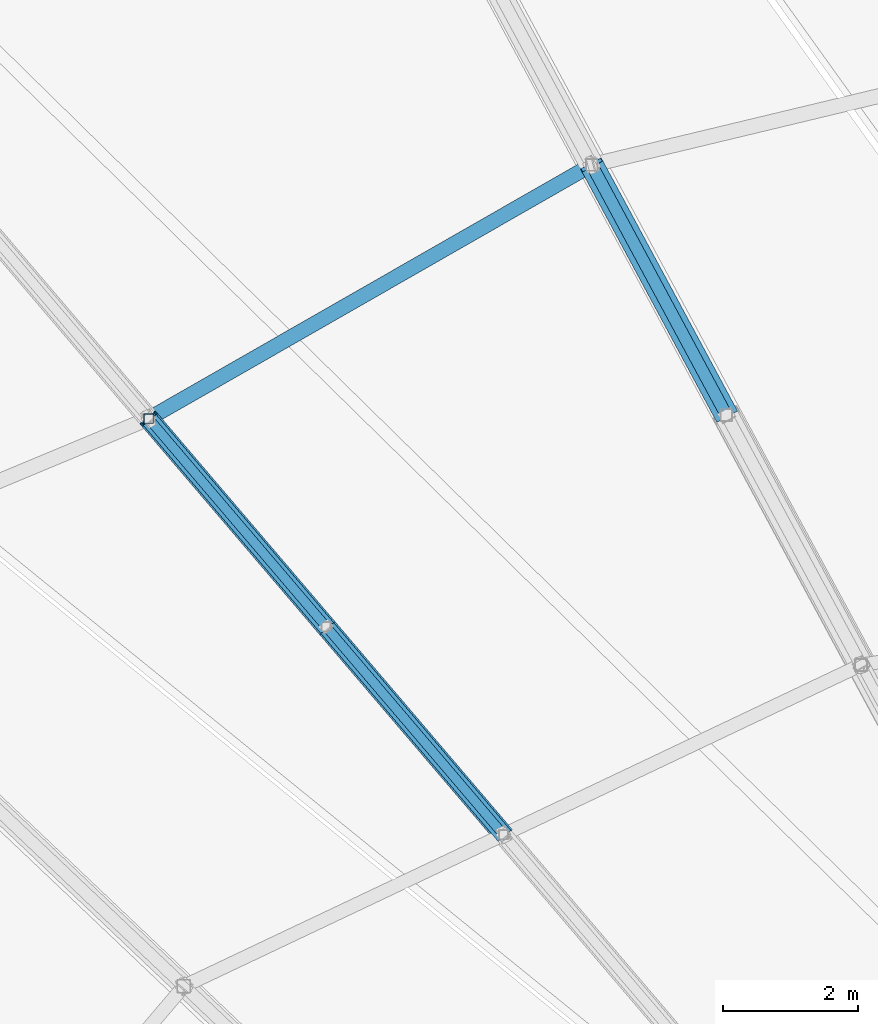
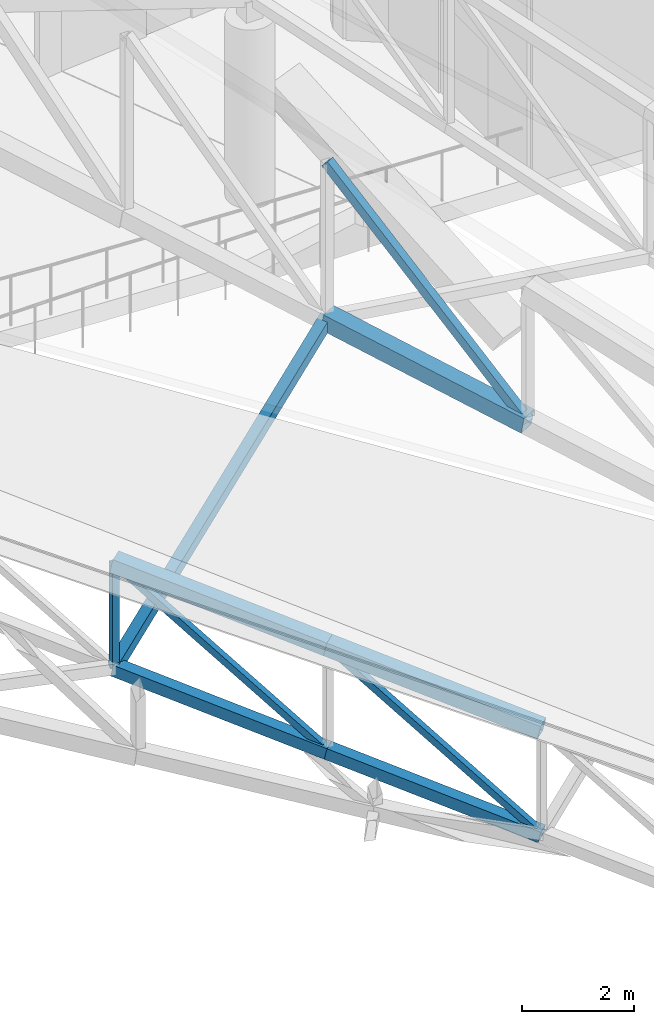
# One storey, part 139 of 344: 10 members.
"""IFC4 building model written with IfcOpenShell, lengths in metres."""

from ifc_helpers import new_model, si_unit, direction, frame, origin, origin_2d, place, context, subcontext, project, spatial, hollow_rectangle, extrude, material, material_profile, profile_set, type_object, element, save


model = new_model("IFC4")

# Units and contexts
model_context = context("Model", 3, precision=1e-05, world=origin(), true_north=direction((0.0, 1.0)))
body_context = subcontext(model_context, "Body", "Model", "MODEL_VIEW")
ifc_project = project(units=[si_unit("LENGTHUNIT", "METRE"), si_unit("AREAUNIT", "SQUARE_METRE"), si_unit("VOLUMEUNIT", "CUBIC_METRE"), si_unit("PLANEANGLEUNIT", "RADIAN"), si_unit("MASSUNIT", "GRAM", prefix="KILO")], contexts=[model_context])

# Site, building, storey
site_placement = place(None, origin())
site = spatial("IfcSite", under=ifc_project, at=site_placement, CompositionType="ELEMENT")
building_placement = place(site_placement, origin())
building = spatial("IfcBuilding", under=site, at=building_placement, Name="Meseta Stadium", CompositionType="ELEMENT")
storey_placement = place(building_placement, frame((0.0, 0.0, 24.0)))
storey = spatial("IfcBuildingStorey", under=building, at=storey_placement, Name="L04", CompositionType="ELEMENT", Elevation=24.0)

# Members
ifc_material_1 = material(Name="Steel S355", Category="steel")
ifc_material_profile_1 = material_profile(ifc_material_1, hollow_rectangle(XDim=0.139892578125, YDim=0.139892578125, WallThickness=0.0048828125, at=origin_2d()), Name="SHS 140x140x5")
ifc_profile_set_1 = profile_set([ifc_material_profile_1], Name="Steel S355")
member_type_1 = type_object("IfcMemberType", Name="SHS 140x140x5 diagonal", PredefinedType="BRACE", material=ifc_profile_set_1)
for number, where, z_axis, x_axis, name in (
    (1, (-39.99169921875, 70.005859375, 0.01123046875), (-0.51129008099, 0.599561179209, 0.615718154245), (-0.760896819388, -0.64887289221, 0.0), "ROOF TRUSS RT-23 diagonal"),
    (2, (-42.626220703125, 73.09521484375, 0.8837890625), (-0.511339991077, 0.599564144468, 0.615673818019), (-0.760867131587, -0.648907703816, 0.0), "ROOF TRUSS RT-23 diagonal"),
):
    element("IfcMember", number, at=place(storey_placement, frame(where, z_axis=z_axis, x_axis=x_axis)), inside=storey, type_object=member_type_1, Name=name, PredefinedType="BRACE", context=body_context, shape_type="SweptSolid", body=[
        extrude(hollow_rectangle(XDim=0.139892578125, YDim=0.139892578125, WallThickness=0.0048828125, at=origin_2d()), origin(), (0.0, 0.0, 1.0), 5.152587890625),
    ])
ifc_material_2 = material(Name="Steel S355", Category="steel")
ifc_material_profile_2 = material_profile(ifc_material_2, hollow_rectangle(XDim=0.139892578125, YDim=0.139892578125, WallThickness=0.0048828125, at=origin_2d()), Name="SHS 140x140x5")
ifc_profile_set_2 = profile_set([ifc_material_profile_2], Name="Steel S355")
member_type_2 = type_object("IfcMemberType", Name="SHS 140x140x5 post", PredefinedType="POST", material=ifc_profile_set_2)
member_1_placement = place(storey_placement, frame((-45.260986328125, 76.1845703125, 1.756103515625), z_axis=(0.0, 0.0, 1.0), x_axis=(1.0, 0.0, 0.0)))
element("IfcMember", 3, at=member_1_placement, inside=storey, type_object=member_type_2, Name="ROOF TRUSS RT-23 post", PredefinedType="POST", context=body_context, shape_type="SweptSolid", body=[
    extrude(hollow_rectangle(XDim=0.139892578125, YDim=0.139892578125, WallThickness=0.0048828125, at=origin_2d()), origin(), (0.0, 0.0, 1.0), 2.300048828125),
])
ifc_material_3 = material(Name="Steel S355", Category="steel")
ifc_material_profile_3 = material_profile(ifc_material_3, hollow_rectangle(XDim=0.179931640625, YDim=0.179931640625, WallThickness=0.00634765625, at=origin_2d()), Name="SHS 180x180x6.3")
ifc_profile_set_3 = profile_set([ifc_material_profile_3], Name="Steel S355")
member_type_3 = type_object("IfcMemberType", Name="SHS 180x180x6.3 diagonal", PredefinedType="BRACE", material=ifc_profile_set_3)
member_2_placement = place(storey_placement, frame((-36.682373046875, 76.239013671875, 4.085205078125), z_axis=(-0.339017164704, 0.629408210203, 0.699222902202), x_axis=(-0.880409753132, -0.474213735134, 0.0)))
element("IfcMember", 4, at=member_2_placement, inside=storey, type_object=member_type_3, Name="ROOF TRUSS RT-22 diagonal", PredefinedType="BRACE", context=body_context, shape_type="SweptSolid", body=[
    extrude(hollow_rectangle(XDim=0.179931640625, YDim=0.179931640625, WallThickness=0.00634765625, at=origin_2d()), origin(), (0.0, 0.0, 1.0), 5.8994140625),
])
ifc_material_4 = material(Name="Steel S355", Category="steel")
ifc_material_profile_4 = material_profile(ifc_material_4, hollow_rectangle(XDim=0.219970703125, YDim=0.219970703125, WallThickness=0.008056640625, at=origin_2d()), Name="SHS 220x220x8")
ifc_profile_set_4 = profile_set([ifc_material_profile_4], Name="Steel S355")
member_type_4 = type_object("IfcMemberType", Name="SHS 220x220x8 strut", PredefinedType="STRUT", material=ifc_profile_set_4)
member_3_placement = place(storey_placement, frame((-38.682373046875, 79.9521484375, 4.798828125), z_axis=(-0.805323989581, -0.461209819907, -0.37247654131), x_axis=(0.496971058122, -0.867767115872, 0.0)))
element("IfcMember", 5, at=member_3_placement, inside=storey, type_object=member_type_4, Name="ROOF TRUSS STRUT RT-22/23", PredefinedType="STRUT", context=body_context, shape_type="SweptSolid", body=[
    extrude(hollow_rectangle(XDim=0.219970703125, YDim=0.219970703125, WallThickness=0.008056640625, at=origin_2d()), origin(), (0.0, 0.0, 1.0), 8.1689453125),
])
ifc_material_5 = material(Name="Steel S355", Category="steel")
ifc_material_profile_5 = material_profile(ifc_material_5, hollow_rectangle(XDim=0.25, YDim=0.25, WallThickness=0.010009765625, at=origin_2d()), Name="SHS 250x250x10")
ifc_profile_set_5 = profile_set([ifc_material_profile_5], Name="Steel S355")
member_type_5 = type_object("IfcMemberType", Name="SHS 250x250x10 bottom chord", PredefinedType="CHORD", material=ifc_profile_set_5)
member_4_placement = place(storey_placement, frame((-39.99169921875, 70.005859375, 0.01123046875), z_axis=(-0.634388494448, 0.743911779144, 0.210110692165), x_axis=(-0.760896819388, -0.64887289221, 0.0)))
element("IfcMember", 6, at=member_4_placement, inside=storey, type_object=member_type_5, Name="ROOF TRUSS RT-23 bottom chord", PredefinedType="CHORD", context=body_context, shape_type="SweptSolid", body=[
    extrude(hollow_rectangle(XDim=0.25, YDim=0.25, WallThickness=0.010009765625, at=origin_2d()), origin(), (0.0, 0.0, 1.0), 4.15283203125),
])
member_5_placement = place(storey_placement, frame((-42.626220703125, 73.09521484375, 0.8837890625), z_axis=(-0.634431456669, 0.74389322208, 0.210046663703), x_axis=(-0.760867131587, -0.648907703816, 0.0)))
element("IfcMember", 7, at=member_5_placement, inside=storey, type_object=member_type_5, Name="ROOF TRUSS RT-23 bottom chord", PredefinedType="CHORD", context=body_context, shape_type="SweptSolid", body=[
    extrude(hollow_rectangle(XDim=0.25, YDim=0.25, WallThickness=0.010009765625, at=origin_2d()), origin(), (0.0, 0.0, 1.0), 4.153076171875),
])
ifc_material_6 = material(Name="Steel S355", Category="steel")
ifc_material_profile_6 = material_profile(ifc_material_6, hollow_rectangle(XDim=0.300048828125, YDim=0.300048828125, WallThickness=0.010009765625, at=origin_2d()), Name="SHS 300x300x10")
ifc_profile_set_6 = profile_set([ifc_material_profile_6], Name="Steel S355")
member_type_6 = type_object("IfcMemberType", Name="SHS 300x300x10 top chord", PredefinedType="CHORD", material=ifc_profile_set_6)
member_6_placement = place(storey_placement, frame((-39.99169921875, 70.005859375, 2.311279296875), z_axis=(-0.634388494448, 0.743911779144, 0.210110692165), x_axis=(-0.760896819388, -0.64887289221, 0.0)))
element("IfcMember", 8, at=member_6_placement, inside=storey, type_object=member_type_6, Name="ROOF TRUSS RT-23 top chord", PredefinedType="CHORD", context=body_context, shape_type="SweptSolid", body=[
    extrude(hollow_rectangle(XDim=0.300048828125, YDim=0.300048828125, WallThickness=0.010009765625, at=origin_2d()), origin(), (0.0, 0.0, 1.0), 4.15283203125),
])
member_7_placement = place(storey_placement, frame((-42.626220703125, 73.09521484375, 3.183837890625), z_axis=(-0.634431456669, 0.74389322208, 0.210046663703), x_axis=(-0.760867131587, -0.648907703816, 0.0)))
element("IfcMember", 9, at=member_7_placement, inside=storey, type_object=member_type_6, Name="ROOF TRUSS RT-23 top chord", PredefinedType="CHORD", context=body_context, shape_type="SweptSolid", body=[
    extrude(hollow_rectangle(XDim=0.300048828125, YDim=0.300048828125, WallThickness=0.010009765625, at=origin_2d()), origin(), (0.0, 0.0, 1.0), 4.153076171875),
])
ifc_material_7 = material(Name="Steel S355", Category="steel")
ifc_material_profile_7 = material_profile(ifc_material_7, hollow_rectangle(XDim=0.35009765625, YDim=0.35009765625, WallThickness=0.010009765625, at=origin_2d()), Name="SHS 350x350x10")
ifc_profile_set_7 = profile_set([ifc_material_profile_7], Name="Steel S355")
member_type_7 = type_object("IfcMemberType", Name="SHS 350x350x10 bottom chord", PredefinedType="CHORD", material=ifc_profile_set_7)
member_8_placement = place(storey_placement, frame((-36.682373046875, 76.239013671875, 4.085205078125), z_axis=(-0.467567666333, 0.868070878571, 0.166833531334), x_axis=(-0.880409753132, -0.474213735134, 0.0)))
element("IfcMember", 10, at=member_8_placement, inside=storey, type_object=member_type_7, Name="ROOF TRUSS RT-22 bottom chord", PredefinedType="CHORD", context=body_context, shape_type="SweptSolid", body=[
    extrude(hollow_rectangle(XDim=0.35009765625, YDim=0.35009765625, WallThickness=0.010009765625, at=origin_2d()), origin(), (0.0, 0.0, 1.0), 4.27734375),
])

save(model, "model.ifc")
